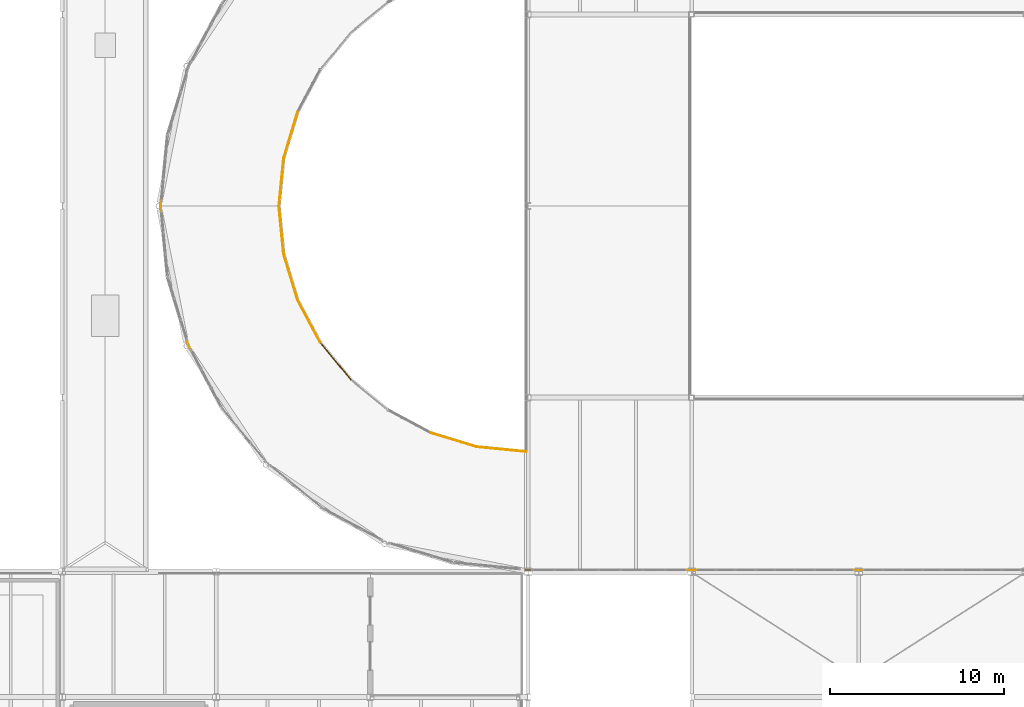
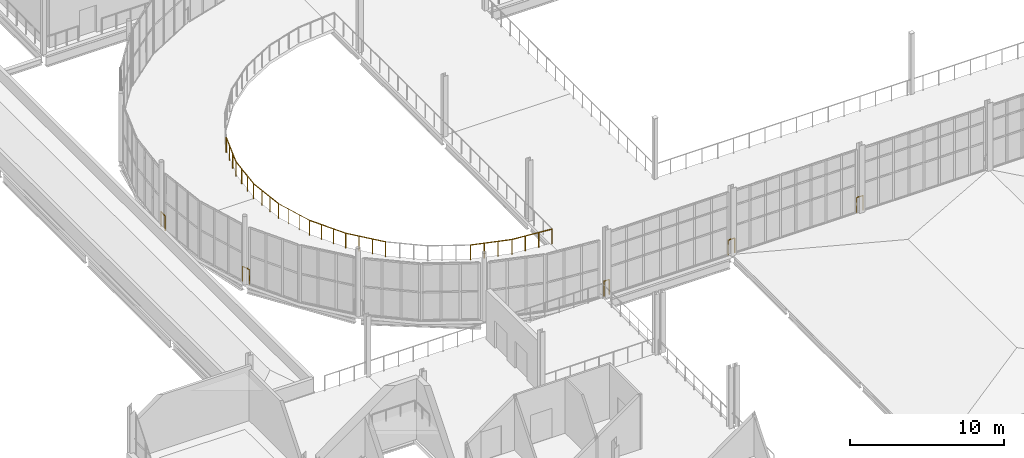
# One storey, part 103 of 112: 13 railings.
"""IFC4 building model written with IfcOpenShell, lengths in metres."""

from ifc_helpers import new_model, si_unit, direction, frame, origin, origin_2d, place, context, subcontext, project, spatial, circle, extrude, material, type_object, element, save


model = new_model("IFC4")

# Units and contexts
model_context = context("Model", 3, precision=1e-05, world=origin(), true_north=direction((0.0, 1.0)))
body_context = subcontext(model_context, "Body", "Model", "MODEL_VIEW")
ifc_project = project(units=[si_unit("LENGTHUNIT", "METRE"), si_unit("AREAUNIT", "SQUARE_METRE"), si_unit("VOLUMEUNIT", "CUBIC_METRE"), si_unit("PLANEANGLEUNIT", "RADIAN"), si_unit("MASSUNIT", "GRAM", prefix="KILO")], contexts=[model_context])

# Site, building, storey
site_placement = place(None, origin())
site = spatial("IfcSite", under=ifc_project, at=site_placement, CompositionType="ELEMENT")
building_placement = place(site_placement, origin())
building = spatial("IfcBuilding", under=site, at=building_placement, Name="Yeouljin Market Hall", CompositionType="ELEMENT")
storey_placement = place(building_placement, frame((0.0, 0.0, 6.0)))
storey = spatial("IfcBuildingStorey", under=building, at=storey_placement, Name="L01", CompositionType="ELEMENT", Elevation=6.0)

# Railings
ifc_material = material(Name="Wrought Iron and Bronze Gallery Balustrade")
railing_type = type_object("IfcRailingType", Name="Railing_AtriumBalustrade_1200", PredefinedType="BALUSTRADE", material=ifc_material)
railing_1_placement = place(storey_placement, frame((16.22412109375, 48.75341796875, 0.0)))
element("IfcRailing", 1, at=railing_1_placement, inside=storey, type_object=railing_type, Name="Gallery & deck edge balustrade L01-067", PredefinedType="BALUSTRADE", context=body_context, shape_type="SweptSolid", body=[
    extrude(circle(Radius=0.02392578125, at=origin_2d()), frame((0.0, 0.0, 1.17578125), z_axis=(-0.382390216249, 0.924000932097, 0.0), x_axis=(-0.924000932097, -0.382390216249, 0.0)), (0.0, 0.0, 1.0), 0.561279296875),
    extrude(circle(Radius=0.02099609375, at=origin_2d()), origin(), (0.0, 0.0, 1.0), 1.15185546875),
    extrude(circle(Radius=0.02099609375, at=origin_2d()), frame((-0.214599609375, 0.5185546875, 0.0)), (0.0, 0.0, 1.0), 1.15185546875),
])
railing_2_placement = place(storey_placement, frame((14.528076171875, 56.719482421875, 0.0)))
element("IfcRailing", 2, at=railing_2_placement, inside=storey, type_object=railing_type, Name="Gallery & deck edge balustrade L01-068", PredefinedType="BALUSTRADE", context=body_context, shape_type="SweptSolid", body=[
    extrude(circle(Radius=0.02392578125, at=origin_2d()), frame((0.0, 0.0, 1.17578125), z_axis=(0.0, 1.0, 0.0), x_axis=(-1.0, 0.0, 0.0)), (0.0, 0.0, 1.0), 0.56103515625),
    extrude(circle(Radius=0.02099609375, at=origin_2d()), origin(), (0.0, 0.0, 1.0), 1.15185546875),
    extrude(circle(Radius=0.02099609375, at=origin_2d()), frame((0.0, 0.56103515625, 0.0)), (0.0, 0.0, 1.0), 1.15185546875),
])
for number, where, name in (
    (3, (54.85009765625, 36.10009765625, 0.0), "Gallery & deck edge balustrade L01-098"),
    (4, (45.25, 36.10009765625, 0.0), "Gallery & deck edge balustrade L01-099"),
):
    element("IfcRailing", number, at=place(storey_placement, frame(where)), inside=storey, type_object=railing_type, Name=name, PredefinedType="BALUSTRADE", context=body_context, shape_type="SweptSolid", body=[
        extrude(circle(Radius=0.02392578125, at=origin_2d()), frame((0.0, 0.0, 1.17578125), z_axis=(-1.0, 0.0, 0.0), x_axis=(0.0, -1.0, 0.0)), (0.0, 0.0, 1.0), 0.5),
        extrude(circle(Radius=0.02099609375, at=origin_2d()), origin(), (0.0, 0.0, 1.0), 1.15185546875),
        extrude(circle(Radius=0.02099609375, at=origin_2d()), frame((-0.5, 0.0, 0.0)), (0.0, 0.0, 1.0), 1.15185546875),
    ])
railing_3_placement = place(storey_placement, frame((35.85009765625, 36.10009765625, 0.0)))
element("IfcRailing", 5, at=railing_3_placement, inside=storey, type_object=railing_type, Name="Gallery & deck edge balustrade L01-100", PredefinedType="BALUSTRADE", context=body_context, shape_type="SweptSolid", body=[
    extrude(circle(Radius=0.02392578125, at=origin_2d()), frame((0.0, 0.0, 1.17578125), z_axis=(-1.0, 0.0, 0.0), x_axis=(0.0, -1.0, 0.0)), (0.0, 0.0, 1.0), 0.395751953125),
    extrude(circle(Radius=0.02099609375, at=origin_2d()), origin(), (0.0, 0.0, 1.0), 1.15185546875),
    extrude(circle(Radius=0.02099609375, at=origin_2d()), frame((-0.395751953125, 0.0, 0.0)), (0.0, 0.0, 1.0), 1.15185546875),
])
railing_4_placement = place(storey_placement, frame((23.67578125, 49.166259765625, 0.0)))
element("IfcRailing", 6, at=railing_4_placement, inside=storey, type_object=railing_type, Name="Gallery & deck edge balustrade L01-123", PredefinedType="BALUSTRADE", context=body_context, shape_type="SweptSolid", body=[
    extrude(circle(Radius=0.02392578125, at=origin_2d()), frame((0.0, 0.0, 1.17578125), z_axis=(0.63437209802, -0.773027839896, 0.0), x_axis=(0.773027839896, 0.63437209802, 0.0)), (0.0, 0.0, 1.0), 2.764404296875),
    extrude(circle(Radius=0.02099609375, at=origin_2d()), origin(), (0.0, 0.0, 1.0), 1.15185546875),
    extrude(circle(Radius=0.02099609375, at=origin_2d()), frame((0.58447265625, -0.71240234375, 0.0)), (0.0, 0.0, 1.0), 1.15185546875),
    extrude(circle(Radius=0.02099609375, at=origin_2d()), frame((1.169189453125, -1.424560546875, 0.0)), (0.0, 0.0, 1.0), 1.15185546875),
    extrude(circle(Radius=0.02099609375, at=origin_2d()), frame((1.753662109375, -2.136962890625, 0.0)), (0.0, 0.0, 1.0), 1.15185546875),
])
railing_5_placement = place(storey_placement, frame((30.00390625, 43.972900390625, 0.0)))
element("IfcRailing", 7, at=railing_5_placement, inside=storey, type_object=railing_type, Name="Gallery & deck edge balustrade L01-126", PredefinedType="BALUSTRADE", context=body_context, shape_type="SweptSolid", body=[
    extrude(circle(Radius=0.02392578125, at=origin_2d()), frame((0.0, 0.0, 1.17578125), z_axis=(0.956934479768, -0.29030398108, 0.0), x_axis=(0.29030398108, 0.956934479768, 0.0)), (0.0, 0.0, 1.0), 2.764404296875),
    extrude(circle(Radius=0.02099609375, at=origin_2d()), origin(), (0.0, 0.0, 1.0), 1.15185546875),
    extrude(circle(Radius=0.02099609375, at=origin_2d()), frame((0.8818359375, -0.267578125, 0.0)), (0.0, 0.0, 1.0), 1.15185546875),
    extrude(circle(Radius=0.02099609375, at=origin_2d()), frame((1.763427734375, -0.534912109375, 0.0)), (0.0, 0.0, 1.0), 1.15185546875),
    extrude(circle(Radius=0.02099609375, at=origin_2d()), frame((2.645263671875, -0.802490234375, 0.0)), (0.0, 0.0, 1.0), 1.15185546875),
])
railing_6_placement = place(storey_placement, frame((32.649169921875, 43.17041015625, 0.0)))
element("IfcRailing", 8, at=railing_6_placement, inside=storey, type_object=railing_type, Name="Gallery & deck edge balustrade L01-127", PredefinedType="BALUSTRADE", context=body_context, shape_type="SweptSolid", body=[
    extrude(circle(Radius=0.02392578125, at=origin_2d()), frame((0.0, 0.0, 1.17578125), z_axis=(0.995185425945, -0.098010040236, 0.0), x_axis=(0.098010040236, 0.995185425945, 0.0)), (0.0, 0.0, 1.0), 2.864501953125),
    extrude(circle(Radius=0.02099609375, at=origin_2d()), origin(), (0.0, 0.0, 1.0), 1.15185546875),
    extrude(circle(Radius=0.02099609375, at=origin_2d()), frame((0.9501953125, -0.093505859375, 0.0)), (0.0, 0.0, 1.0), 1.15185546875),
    extrude(circle(Radius=0.02099609375, at=origin_2d()), frame((1.900634765625, -0.187255859375, 0.0)), (0.0, 0.0, 1.0), 1.15185546875),
    extrude(circle(Radius=0.02099609375, at=origin_2d()), frame((2.850830078125, -0.28076171875, 0.0)), (0.0, 0.0, 1.0), 1.15185546875),
])
railing_7_placement = place(storey_placement, frame((22.372802734375, 62.39599609375, 0.0)))
element("IfcRailing", 9, at=railing_7_placement, inside=storey, type_object=railing_type, Name="Gallery & deck edge balustrade L01-135", PredefinedType="BALUSTRADE", context=body_context, shape_type="SweptSolid", body=[
    extrude(circle(Radius=0.02392578125, at=origin_2d()), frame((0.0, 0.0, 1.17578125), z_axis=(-0.290328518195, -0.956927035632, 0.0), x_axis=(0.956927035632, -0.290328518195, 0.0)), (0.0, 0.0, 1.0), 2.76416015625),
    extrude(circle(Radius=0.02099609375, at=origin_2d()), origin(), (0.0, 0.0, 1.0), 1.15185546875),
    extrude(circle(Radius=0.02099609375, at=origin_2d()), frame((-0.267578125, -0.881591796875, 0.0)), (0.0, 0.0, 1.0), 1.15185546875),
    extrude(circle(Radius=0.02099609375, at=origin_2d()), frame((-0.534912109375, -1.763427734375, 0.0)), (0.0, 0.0, 1.0), 1.15185546875),
    extrude(circle(Radius=0.02099609375, at=origin_2d()), frame((-0.802490234375, -2.64501953125, 0.0)), (0.0, 0.0, 1.0), 1.15185546875),
])
railing_8_placement = place(storey_placement, frame((21.5703125, 59.7509765625, 0.0)))
element("IfcRailing", 10, at=railing_8_placement, inside=storey, type_object=railing_type, Name="Gallery & deck edge balustrade L01-136", PredefinedType="BALUSTRADE", context=body_context, shape_type="SweptSolid", body=[
    extrude(circle(Radius=0.02392578125, at=origin_2d()), frame((0.0, 0.0, 1.17578125), z_axis=(-0.097947063665, -0.99519162613, 0.0), x_axis=(0.99519162613, -0.097947063665, 0.0)), (0.0, 0.0, 1.0), 2.76416015625),
    extrude(circle(Radius=0.02099609375, at=origin_2d()), origin(), (0.0, 0.0, 1.0), 1.15185546875),
    extrude(circle(Radius=0.02099609375, at=origin_2d()), frame((-0.09033203125, -0.9169921875, 0.0)), (0.0, 0.0, 1.0), 1.15185546875),
    extrude(circle(Radius=0.02099609375, at=origin_2d()), frame((-0.180419921875, -1.833984375, 0.0)), (0.0, 0.0, 1.0), 1.15185546875),
    extrude(circle(Radius=0.02099609375, at=origin_2d()), frame((-0.270751953125, -2.7509765625, 0.0)), (0.0, 0.0, 1.0), 1.15185546875),
])
railing_9_placement = place(storey_placement, frame((21.299560546875, 57.0, 0.0)))
element("IfcRailing", 11, at=railing_9_placement, inside=storey, type_object=railing_type, Name="Gallery & deck edge balustrade L01-137", PredefinedType="BALUSTRADE", context=body_context, shape_type="SweptSolid", body=[
    extrude(circle(Radius=0.02392578125, at=origin_2d()), frame((0.0, 0.0, 1.17578125), z_axis=(0.097947063665, -0.99519162613, 0.0), x_axis=(0.99519162613, 0.097947063665, 0.0)), (0.0, 0.0, 1.0), 2.76416015625),
    extrude(circle(Radius=0.02099609375, at=origin_2d()), origin(), (0.0, 0.0, 1.0), 1.15185546875),
    extrude(circle(Radius=0.02099609375, at=origin_2d()), frame((0.09033203125, -0.9169921875, 0.0)), (0.0, 0.0, 1.0), 1.15185546875),
    extrude(circle(Radius=0.02099609375, at=origin_2d()), frame((0.180419921875, -1.833984375, 0.0)), (0.0, 0.0, 1.0), 1.15185546875),
    extrude(circle(Radius=0.02099609375, at=origin_2d()), frame((0.270751953125, -2.7509765625, 0.0)), (0.0, 0.0, 1.0), 1.15185546875),
])
railing_10_placement = place(storey_placement, frame((21.5703125, 54.2490234375, 0.0)))
element("IfcRailing", 12, at=railing_10_placement, inside=storey, type_object=railing_type, Name="Gallery & deck edge balustrade L01-138", PredefinedType="BALUSTRADE", context=body_context, shape_type="SweptSolid", body=[
    extrude(circle(Radius=0.02392578125, at=origin_2d()), frame((0.0, 0.0, 1.17578125), z_axis=(0.290328518195, -0.956927035632, 0.0), x_axis=(0.956927035632, 0.290328518195, 0.0)), (0.0, 0.0, 1.0), 2.76416015625),
    extrude(circle(Radius=0.02099609375, at=origin_2d()), origin(), (0.0, 0.0, 1.0), 1.15185546875),
    extrude(circle(Radius=0.02099609375, at=origin_2d()), frame((0.267578125, -0.881591796875, 0.0)), (0.0, 0.0, 1.0), 1.15185546875),
    extrude(circle(Radius=0.02099609375, at=origin_2d()), frame((0.534912109375, -1.763427734375, 0.0)), (0.0, 0.0, 1.0), 1.15185546875),
    extrude(circle(Radius=0.02099609375, at=origin_2d()), frame((0.802490234375, -2.64501953125, 0.0)), (0.0, 0.0, 1.0), 1.15185546875),
])
railing_11_placement = place(storey_placement, frame((22.372802734375, 51.60400390625, 0.0)))
element("IfcRailing", 13, at=railing_11_placement, inside=storey, type_object=railing_type, Name="Gallery & deck edge balustrade L01-139", PredefinedType="BALUSTRADE", context=body_context, shape_type="SweptSolid", body=[
    extrude(circle(Radius=0.02392578125, at=origin_2d()), frame((0.0, 0.0, 1.17578125), z_axis=(0.471390300343, -0.88192470469, 0.0), x_axis=(0.88192470469, 0.471390300343, 0.0)), (0.0, 0.0, 1.0), 2.76416015625),
    extrude(circle(Radius=0.02099609375, at=origin_2d()), origin(), (0.0, 0.0, 1.0), 1.15185546875),
    extrude(circle(Radius=0.02099609375, at=origin_2d()), frame((0.434326171875, -0.8125, 0.0)), (0.0, 0.0, 1.0), 1.15185546875),
    extrude(circle(Radius=0.02099609375, at=origin_2d()), frame((0.86865234375, -1.625244140625, 0.0)), (0.0, 0.0, 1.0), 1.15185546875),
    extrude(circle(Radius=0.02099609375, at=origin_2d()), frame((1.302978515625, -2.437744140625, 0.0)), (0.0, 0.0, 1.0), 1.15185546875),
])

save(model, "model.ifc")
